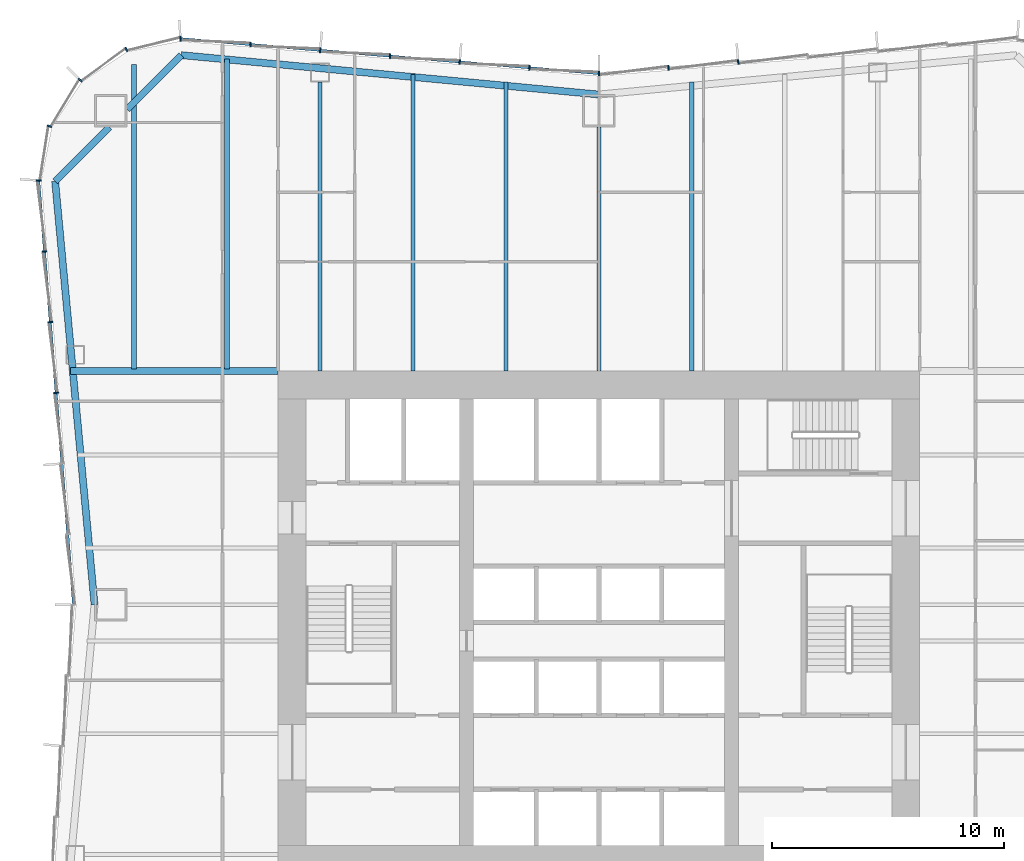
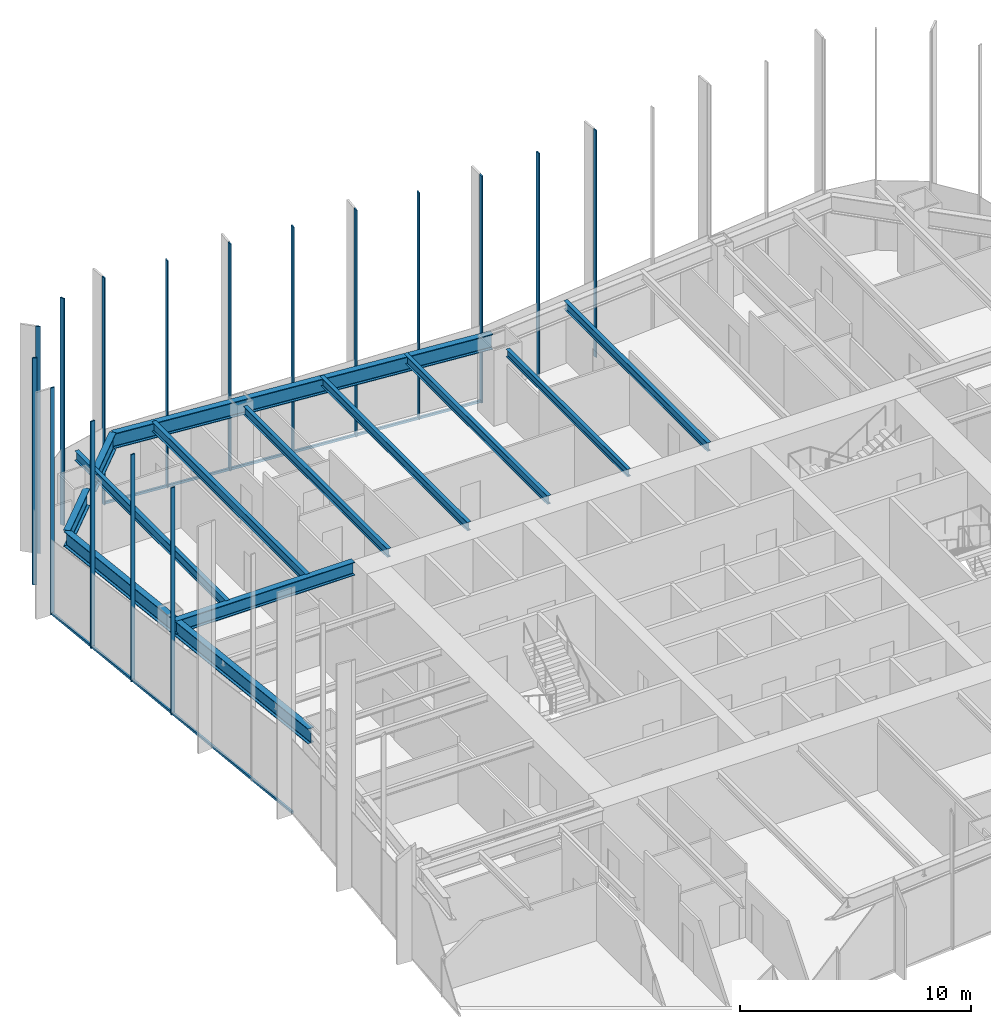
# One storey, part 5 of 13: 18 members, 12 beams, 3 elements without a shape of their own.
"""IFC4 building model written with IfcOpenShell, lengths in metres."""

from ifc_helpers import new_model, si_unit, direction, frame, origin, origin_2d, place, context, subcontext, project, spatial, rectangle, i_section, extrude, material, material_profile, profile_set, type_object, element, aggregate, save


model = new_model("IFC4")

# Units and contexts
model_context = context("Model", 3, precision=1e-05, world=origin(), true_north=direction((0.0, 1.0)))
body_context = subcontext(model_context, "Body", "Model", "MODEL_VIEW")
ifc_project = project(units=[si_unit("LENGTHUNIT", "METRE"), si_unit("AREAUNIT", "SQUARE_METRE"), si_unit("VOLUMEUNIT", "CUBIC_METRE"), si_unit("PLANEANGLEUNIT", "RADIAN"), si_unit("MASSUNIT", "GRAM", prefix="KILO")], contexts=[model_context])

# Site, building, storey
site_placement = place(None, origin())
site = spatial("IfcSite", under=ifc_project, at=site_placement, CompositionType="ELEMENT")
building_placement = place(site_placement, origin())
building = spatial("IfcBuilding", under=site, at=building_placement, Name="Verdant Reach Tower", CompositionType="ELEMENT")
storey_placement = place(building_placement, frame((0.0, 0.0, 82.0)))
storey = spatial("IfcBuildingStorey", under=building, at=storey_placement, Name="L18", CompositionType="ELEMENT", Elevation=82.0)

# Curtain wall, members
ifc_material_1 = material(Name="Anodised aluminium", Category="aluminium")
curtain_wall_type = type_object("IfcCurtainWallType", Name="EN-CW SYSTEM Z1", PredefinedType="NOTDEFINED", material=ifc_material_1)
curtain_wall_1_placement = place(storey_placement, origin())
curtain_wall_1 = element("IfcCurtainWall", 1, at=curtain_wall_1_placement, inside=storey, type_object=curtain_wall_type, Name="Curtain wall north, L18", PredefinedType="NOTDEFINED")
ifc_material_profile_1 = material_profile(ifc_material_1, rectangle(XDim=0.2060546875, YDim=0.06201171875, at=origin_2d()), Name="Mullion 62x206")
ifc_profile_set_1 = profile_set([ifc_material_profile_1], Name="Anodised aluminium")
member_type_1 = type_object("IfcMemberType", Name="EN-MULLION Z1", PredefinedType="MULLION", material=ifc_profile_set_1)
member_1_placement = place(storey_placement, frame((5.991455078125, 52.1025390625, -0.35009765625), z_axis=(0.0, 0.0, 1.0), x_axis=(-0.083045479859, 0.996545758244, 0.0)))
member_1 = element("IfcMember", 2, at=member_1_placement, type_object=member_type_1, Name="Mullion north face part 1 5, L18", PredefinedType="MULLION", context=body_context, shape_type="SweptSolid", body=[
    extrude(rectangle(XDim=0.2060546875, YDim=0.06201171875, at=origin_2d()), origin(), (0.0, 0.0, 1.0), 12.0),
])
member_2_placement = place(storey_placement, frame((2.991455078125, 51.8525390625, -0.35009765625), z_axis=(0.0, 0.0, 1.0), x_axis=(-0.083045479859, 0.996545758244, 0.0)))
member_2 = element("IfcMember", 3, at=member_2_placement, type_object=member_type_1, Name="Mullion north face part 1 6, L18", PredefinedType="MULLION", context=body_context, shape_type="SweptSolid", body=[
    extrude(rectangle(XDim=0.2060546875, YDim=0.06201171875, at=origin_2d()), origin(), (0.0, 0.0, 1.0), 12.0),
])
member_3_placement = place(storey_placement, frame((0.0, 51.60302734375, -0.35009765625), z_axis=(0.0, 0.0, 1.0), x_axis=(0.0, 1.0, 0.0)))
member_3 = element("IfcMember", 4, at=member_3_placement, type_object=member_type_1, Name="Mullion north face part 2 1, L18", PredefinedType="MULLION", context=body_context, shape_type="SweptSolid", body=[
    extrude(rectangle(XDim=0.2060546875, YDim=0.06201171875, at=origin_2d()), origin(), (0.0, 0.0, 1.0), 12.0),
])
member_4_placement = place(storey_placement, frame((-2.991455078125, 51.8525390625, -0.35009765625), z_axis=(0.0, 0.0, 1.0), x_axis=(0.083045479859, 0.996545758244, 0.0)))
member_4 = element("IfcMember", 5, at=member_4_placement, type_object=member_type_1, Name="Mullion north face part 2 2, L18", PredefinedType="MULLION", context=body_context, shape_type="SweptSolid", body=[
    extrude(rectangle(XDim=0.2060546875, YDim=0.06201171875, at=origin_2d()), origin(), (0.0, 0.0, 1.0), 12.0),
])
member_5_placement = place(storey_placement, frame((-5.991455078125, 52.1025390625, -0.35009765625), z_axis=(0.0, 0.0, 1.0), x_axis=(0.083045479859, 0.996545758244, 0.0)))
member_5 = element("IfcMember", 6, at=member_5_placement, type_object=member_type_1, Name="Mullion north face part 2 3, L18", PredefinedType="MULLION", context=body_context, shape_type="SweptSolid", body=[
    extrude(rectangle(XDim=0.2060546875, YDim=0.06201171875, at=origin_2d()), origin(), (0.0, 0.0, 1.0), 12.0),
])
member_6_placement = place(storey_placement, frame((-8.991455078125, 52.3525390625, -0.35009765625), z_axis=(0.0, 0.0, 1.0), x_axis=(0.083045479859, 0.996545758244, 0.0)))
member_6 = element("IfcMember", 7, at=member_6_placement, type_object=member_type_1, Name="Mullion north face part 2 4, L18", PredefinedType="MULLION", context=body_context, shape_type="SweptSolid", body=[
    extrude(rectangle(XDim=0.2060546875, YDim=0.06201171875, at=origin_2d()), origin(), (0.0, 0.0, 1.0), 12.0),
])
member_7_placement = place(storey_placement, frame((-11.991455078125, 52.6025390625, -0.35009765625), z_axis=(0.0, 0.0, 1.0), x_axis=(0.083045479859, 0.996545758244, 0.0)))
member_7 = element("IfcMember", 8, at=member_7_placement, type_object=member_type_1, Name="Mullion north face part 2 5, L18", PredefinedType="MULLION", context=body_context, shape_type="SweptSolid", body=[
    extrude(rectangle(XDim=0.2060546875, YDim=0.06201171875, at=origin_2d()), origin(), (0.0, 0.0, 1.0), 12.0),
])
member_8_placement = place(storey_placement, frame((-14.991455078125, 52.8525390625, -0.35009765625), z_axis=(0.0, 0.0, 1.0), x_axis=(0.083045479859, 0.996545758244, 0.0)))
member_8 = element("IfcMember", 9, at=member_8_placement, type_object=member_type_1, Name="Mullion north face part 2 6, L18", PredefinedType="MULLION", context=body_context, shape_type="SweptSolid", body=[
    extrude(rectangle(XDim=0.2060546875, YDim=0.06201171875, at=origin_2d()), origin(), (0.0, 0.0, 1.0), 12.0),
])

curtain_wall_2_placement = place(storey_placement, origin())
curtain_wall_2 = element("IfcCurtainWall", 10, at=curtain_wall_2_placement, inside=storey, type_object=curtain_wall_type, Name="Curtain wall north-west corner, L18", PredefinedType="NOTDEFINED")
member_9_placement = place(storey_placement, frame((-18.005859375, 53.102783203125, -0.35009765625), z_axis=(0.0, 0.0, 1.0), x_axis=(-0.056569187765, 0.998398681387, 0.0)))
member_9 = element("IfcMember", 11, at=member_9_placement, type_object=member_type_1, Name="Mullion north-west corner 1, L18", PredefinedType="MULLION", context=body_context, shape_type="SweptSolid", body=[
    extrude(rectangle(XDim=0.2060546875, YDim=0.06201171875, at=origin_2d()), origin(), (0.0, 0.0, 1.0), 12.0),
])
member_10_placement = place(storey_placement, frame((-20.33544921875, 52.638427734375, -0.35009765625), z_axis=(0.0, 0.0, 1.0), x_axis=(-0.382693853776, 0.923875215753, 0.0)))
member_10 = element("IfcMember", 12, at=member_10_placement, type_object=member_type_1, Name="Mullion north-west corner 2, L18", PredefinedType="MULLION", context=body_context, shape_type="SweptSolid", body=[
    extrude(rectangle(XDim=0.2060546875, YDim=0.06201171875, at=origin_2d()), origin(), (0.0, 0.0, 1.0), 12.0),
])
member_11_placement = place(storey_placement, frame((-22.3154296875, 51.3154296875, -0.35009765625), z_axis=(0.0, 0.0, 1.0), x_axis=(-0.707106781187, 0.707106781187, 0.0)))
member_11 = element("IfcMember", 13, at=member_11_placement, type_object=member_type_1, Name="Mullion north-west corner 3, L18", PredefinedType="MULLION", context=body_context, shape_type="SweptSolid", body=[
    extrude(rectangle(XDim=0.2060546875, YDim=0.06201171875, at=origin_2d()), origin(), (0.0, 0.0, 1.0), 12.0),
])
member_12_placement = place(storey_placement, frame((-23.638427734375, 49.33544921875, -0.35009765625), z_axis=(0.0, 0.0, 1.0), x_axis=(-0.923875215753, 0.382693853776, 0.0)))
member_12 = element("IfcMember", 14, at=member_12_placement, type_object=member_type_1, Name="Mullion north-west corner 4, L18", PredefinedType="MULLION", context=body_context, shape_type="SweptSolid", body=[
    extrude(rectangle(XDim=0.2060546875, YDim=0.06201171875, at=origin_2d()), origin(), (0.0, 0.0, 1.0), 12.0),
])
aggregate(curtain_wall_2, [member_9, member_10, member_11, member_12])

curtain_wall_3_placement = place(storey_placement, origin())
curtain_wall_3 = element("IfcCurtainWall", 15, at=curtain_wall_3_placement, inside=storey, type_object=curtain_wall_type, Name="Curtain wall west, L18", PredefinedType="NOTDEFINED")
member_13_placement = place(storey_placement, frame((-24.102783203125, 47.005859375, -0.35009765625), z_axis=(0.0, 0.0, 1.0), x_axis=(-0.998366452275, 0.057135164055, 0.0)))
member_13 = element("IfcMember", 16, at=member_13_placement, type_object=member_type_1, Name="Mullion west face part 1 1, L18", PredefinedType="MULLION", context=body_context, shape_type="SweptSolid", body=[
    extrude(rectangle(XDim=0.2060546875, YDim=0.06201171875, at=origin_2d()), origin(), (0.0, 0.0, 1.0), 12.0),
])
member_14_placement = place(storey_placement, frame((-23.8525390625, 43.949951171875, -0.35009765625), z_axis=(0.0, 0.0, 1.0), x_axis=(-0.996639273542, -0.081915556724, 0.0)))
member_14 = element("IfcMember", 17, at=member_14_placement, type_object=member_type_1, Name="Mullion west face part 1 2, L18", PredefinedType="MULLION", context=body_context, shape_type="SweptSolid", body=[
    extrude(rectangle(XDim=0.2060546875, YDim=0.06201171875, at=origin_2d()), origin(), (0.0, 0.0, 1.0), 12.0),
])
member_15_placement = place(storey_placement, frame((-23.6025390625, 40.908203125, -0.35009765625), z_axis=(0.0, 0.0, 1.0), x_axis=(-0.996639273542, -0.081915556724, 0.0)))
member_15 = element("IfcMember", 18, at=member_15_placement, type_object=member_type_1, Name="Mullion west face part 1 3, L18", PredefinedType="MULLION", context=body_context, shape_type="SweptSolid", body=[
    extrude(rectangle(XDim=0.2060546875, YDim=0.06201171875, at=origin_2d()), origin(), (0.0, 0.0, 1.0), 12.0),
])
member_16_placement = place(storey_placement, frame((-23.3525390625, 37.866455078125, -0.35009765625), z_axis=(0.0, 0.0, 1.0), x_axis=(-0.996639273542, -0.081915556724, 0.0)))
member_16 = element("IfcMember", 19, at=member_16_placement, type_object=member_type_1, Name="Mullion west face part 1 4, L18", PredefinedType="MULLION", context=body_context, shape_type="SweptSolid", body=[
    extrude(rectangle(XDim=0.2060546875, YDim=0.06201171875, at=origin_2d()), origin(), (0.0, 0.0, 1.0), 12.0),
])

# Member
ifc_material_profile_2 = material_profile(ifc_material_1, rectangle(XDim=0.10009765625, YDim=0.1220703125, at=origin_2d()), Name="Transom 122x100")
ifc_profile_set_2 = profile_set([ifc_material_profile_2], Name="Anodised aluminium")
member_type_2 = type_object("IfcMemberType", Name="EN-TRANSOM Z1", PredefinedType="USERDEFINED", material=ifc_profile_set_2)
member_17_placement = place(storey_placement, frame((-0.031005859375, 51.60546875, -0.2890625), z_axis=(-0.996547815143, 0.083020793384, 0.0), x_axis=(-0.083020793384, -0.996547815143, 0.0)))
member_17 = element("IfcMember", 20, at=member_17_placement, type_object=member_type_2, Name="Transom north face part 2 1.1, L18", ObjectType="TRANSOM", PredefinedType="USERDEFINED", context=body_context, shape_type="SweptSolid", body=[
    extrude(rectangle(XDim=0.10009765625, YDim=0.1220703125, at=origin_2d()), origin(), (0.0, 0.0, 1.0), 18.006103515625),
])

aggregate(curtain_wall_1, [member_1, member_2, member_3, member_4, member_5, member_6, member_7, member_8, member_17])

member_18_placement = place(storey_placement, frame((-24.100341796875, 46.97509765625, -0.2890625), z_axis=(0.081886623329, -0.996641651207, 0.0), x_axis=(0.996641651207, 0.081886623329, 0.0)))
member_18 = element("IfcMember", 21, at=member_18_placement, type_object=member_type_2, Name="Transom west face part 1 1.1, L18", ObjectType="TRANSOM", PredefinedType="USERDEFINED", context=body_context, shape_type="SweptSolid", body=[
    extrude(rectangle(XDim=0.10009765625, YDim=0.1220703125, at=origin_2d()), origin(), (0.0, 0.0, 1.0), 18.25537109375),
])

aggregate(curtain_wall_3, [member_13, member_14, member_15, member_16, member_18])

# Beams
ifc_material_2 = material(Name="Steel S355", Category="steel")
ifc_material_profile_3 = material_profile(ifc_material_2, i_section(OverallWidth=0.300048828125, OverallDepth=0.699951171875, WebThickness=0.01708984375, FlangeThickness=0.031982421875, FilletRadius=0.027099609375, at=origin_2d()), Name="HEB 700")
ifc_profile_set_3 = profile_set([ifc_material_profile_3], Name="Steel S355")
beam_type_1 = type_object("IfcBeamType", Name="ST-BEAM-HEB700", PredefinedType="BEAM", material=ifc_profile_set_3)
beam_1_placement = place(storey_placement, frame((-13.800048828125, 38.800048828125, 3.52001953125), z_axis=(-1.0, 0.0, 0.0), x_axis=(0.0, -1.0, 0.0)))
element("IfcBeam", 22, at=beam_1_placement, inside=storey, type_object=beam_type_1, Name="Trimmer beam, L18", PredefinedType="BEAM", context=body_context, shape_type="SweptSolid", body=[
    extrude(i_section(OverallWidth=0.300048828125, OverallDepth=0.699951171875, WebThickness=0.01708984375, FlangeThickness=0.031982421875, FilletRadius=0.027099609375, at=origin_2d()), origin(), (0.0, 0.0, 1.0), 8.924072265625),
])
ifc_material_profile_4 = material_profile(ifc_material_2, i_section(OverallWidth=0.179931640625, OverallDepth=0.39990234375, WebThickness=0.008544921875, FlangeThickness=0.013427734375, FilletRadius=0.02099609375, at=origin_2d()), Name="IPE 400")
ifc_profile_set_4 = profile_set([ifc_material_profile_4], Name="Steel S355")
beam_type_2 = type_object("IfcBeamType", Name="ST-JOIST-IPE400", PredefinedType="JOIST", material=ifc_profile_set_4)
beam_2_placement = place(storey_placement, frame((0.0, 38.800048828125, 3.669921875), z_axis=(0.0, 1.0, 0.0), x_axis=(-1.0, 0.0, 0.0)))
element("IfcBeam", 23, at=beam_2_placement, inside=storey, type_object=beam_type_2, Name="Floor joist, L18", PredefinedType="JOIST", context=body_context, shape_type="SweptSolid", body=[
    extrude(i_section(OverallWidth=0.179931640625, OverallDepth=0.39990234375, WebThickness=0.008544921875, FlangeThickness=0.013427734375, FilletRadius=0.02099609375, at=origin_2d()), origin(), (0.0, 0.0, 1.0), 10.5),
])
ifc_material_profile_5 = material_profile(ifc_material_2, i_section(OverallWidth=0.18994140625, OverallDepth=0.449951171875, WebThickness=0.009521484375, FlangeThickness=0.0146484375, FilletRadius=0.02099609375, at=origin_2d()), Name="IPE 450")
ifc_profile_set_5 = profile_set([ifc_material_profile_5], Name="Steel S355")
beam_type_3 = type_object("IfcBeamType", Name="ST-JOIST-IPE450", PredefinedType="JOIST", material=ifc_profile_set_5)
beam_3_placement = place(storey_placement, frame((-12.0, 38.800048828125, 3.64501953125), z_axis=(0.0, 1.0, 0.0), x_axis=(-1.0, 0.0, 0.0)))
element("IfcBeam", 24, at=beam_3_placement, inside=storey, type_object=beam_type_3, Name="Floor joist, L18", PredefinedType="JOIST", context=body_context, shape_type="SweptSolid", body=[
    extrude(i_section(OverallWidth=0.18994140625, OverallDepth=0.449951171875, WebThickness=0.009521484375, FlangeThickness=0.0146484375, FilletRadius=0.02099609375, at=origin_2d()), origin(), (0.0, 0.0, 1.0), 12.449951171875),
])
beam_4_placement = place(storey_placement, frame((-8.0, 38.800048828125, 3.64501953125), z_axis=(0.0, 1.0, 0.0), x_axis=(-1.0, 0.0, 0.0)))
element("IfcBeam", 25, at=beam_4_placement, inside=storey, type_object=beam_type_3, Name="Floor joist, L18", PredefinedType="JOIST", context=body_context, shape_type="SweptSolid", body=[
    extrude(i_section(OverallWidth=0.18994140625, OverallDepth=0.449951171875, WebThickness=0.009521484375, FlangeThickness=0.0146484375, FilletRadius=0.02099609375, at=origin_2d()), origin(), (0.0, 0.0, 1.0), 12.7646484375),
])
for number, where, z_axis, x_axis, name in (
    (26, (-4.0, 38.800048828125, 3.64501953125), (0.0, 1.0, 0.0), (-1.0, 0.0, 0.0), "Floor joist, L18"),
    (27, (4.0, 38.800048828125, 3.64501953125), (0.0, 1.0, 0.0), (-1.0, 0.0, 0.0), "Floor joist, L18"),
):
    element("IfcBeam", number, at=place(storey_placement, frame(where, z_axis=z_axis, x_axis=x_axis)), inside=storey, type_object=beam_type_3, Name=name, PredefinedType="JOIST", context=body_context, shape_type="SweptSolid", body=[
        extrude(i_section(OverallWidth=0.18994140625, OverallDepth=0.449951171875, WebThickness=0.009521484375, FlangeThickness=0.0146484375, FilletRadius=0.02099609375, at=origin_2d()), origin(), (0.0, 0.0, 1.0), 12.43115234375),
    ])
ifc_material_profile_6 = material_profile(ifc_material_2, i_section(OverallWidth=0.199951171875, OverallDepth=0.5, WebThickness=0.01025390625, FlangeThickness=0.01611328125, FilletRadius=0.02099609375, at=origin_2d()), Name="IPE 500")
ifc_profile_set_6 = profile_set([ifc_material_profile_6], Name="Steel S355")
beam_type_4 = type_object("IfcBeamType", Name="ST-JOIST-IPE500", PredefinedType="JOIST", material=ifc_profile_set_6)
beam_5_placement = place(storey_placement, frame((-20.0, 38.89990234375, 3.6201171875), z_axis=(0.0, 1.0, 0.0), x_axis=(-1.0, 0.0, 0.0)))
element("IfcBeam", 28, at=beam_5_placement, inside=storey, type_object=beam_type_4, Name="Floor joist, L18", PredefinedType="JOIST", context=body_context, shape_type="SweptSolid", body=[
    extrude(i_section(OverallWidth=0.199951171875, OverallDepth=0.5, WebThickness=0.01025390625, FlangeThickness=0.01611328125, FilletRadius=0.02099609375, at=origin_2d()), origin(), (0.0, 0.0, 1.0), 13.090576171875),
])
beam_6_placement = place(storey_placement, frame((-16.0, 38.89990234375, 3.6201171875), z_axis=(0.0, 1.0, 0.0), x_axis=(-1.0, 0.0, 0.0)))
element("IfcBeam", 29, at=beam_6_placement, inside=storey, type_object=beam_type_4, Name="Floor joist, L18", PredefinedType="JOIST", context=body_context, shape_type="SweptSolid", body=[
    extrude(i_section(OverallWidth=0.199951171875, OverallDepth=0.5, WebThickness=0.01025390625, FlangeThickness=0.01611328125, FilletRadius=0.02099609375, at=origin_2d()), origin(), (0.0, 0.0, 1.0), 13.331298828125),
])
ifc_material_profile_7 = material_profile(ifc_material_2, i_section(OverallWidth=0.300048828125, OverallDepth=0.800048828125, WebThickness=0.017578125, FlangeThickness=0.032958984375, FilletRadius=0.030029296875, at=origin_2d()), Name="HEB 800")
ifc_profile_set_7 = profile_set([ifc_material_profile_7], Name="Steel S355")
beam_type_5 = type_object("IfcBeamType", Name="ST-SPANDREL-HEB800", PredefinedType="SPANDREL", material=ifc_profile_set_7)
beam_7_placement = place(storey_placement, frame((-21.699951171875, 28.75, 3.469970703125), z_axis=(-0.092656907618, 0.995698095544, 0.0), x_axis=(-0.995698095544, -0.092656907618, 0.0)))
element("IfcBeam", 30, at=beam_7_placement, inside=storey, type_object=beam_type_5, Name="Edge beam, L18", PredefinedType="SPANDREL", context=body_context, shape_type="SweptSolid", body=[
    extrude(i_section(OverallWidth=0.300048828125, OverallDepth=0.800048828125, WebThickness=0.017578125, FlangeThickness=0.032958984375, FilletRadius=0.030029296875, at=origin_2d()), origin(), (0.0, 0.0, 1.0), 18.2939453125),
])
beam_8_placement = place(storey_placement, frame((-17.9658203125, 52.39501953125, 3.469970703125), z_axis=(0.995578571765, -0.093932462137, 0.0), x_axis=(0.093932462137, 0.995578571765, 0.0)))
element("IfcBeam", 31, at=beam_8_placement, inside=storey, type_object=beam_type_5, Name="Edge beam, L18", PredefinedType="SPANDREL", context=body_context, shape_type="SweptSolid", body=[
    extrude(i_section(OverallWidth=0.300048828125, OverallDepth=0.800048828125, WebThickness=0.017578125, FlangeThickness=0.032958984375, FilletRadius=0.030029296875, at=origin_2d()), origin(), (0.0, 0.0, 1.0), 18.045654296875),
])
ifc_material_profile_8 = material_profile(ifc_material_2, i_section(OverallWidth=0.302001953125, OverallDepth=0.909912109375, WebThickness=0.02099609375, FlangeThickness=0.0400390625, FilletRadius=0.030029296875, at=origin_2d()), Name="HEM 900")
ifc_profile_set_8 = profile_set([ifc_material_profile_8], Name="Steel S355")
beam_type_6 = type_object("IfcBeamType", Name="ST-SPANDREL-HEM900", PredefinedType="SPANDREL", material=ifc_profile_set_8)
beam_9_placement = place(storey_placement, frame((-23.39501953125, 46.96533203125, 3.4150390625), z_axis=(0.707069807316, 0.707143753123, 0.0), x_axis=(-0.707143753123, 0.707069807316, 0.0)))
element("IfcBeam", 32, at=beam_9_placement, inside=storey, type_object=beam_type_6, Name="Edge beam, L18", PredefinedType="SPANDREL", context=body_context, shape_type="SweptSolid", body=[
    extrude(i_section(OverallWidth=0.302001953125, OverallDepth=0.909912109375, WebThickness=0.02099609375, FlangeThickness=0.0400390625, FilletRadius=0.030029296875, at=origin_2d()), origin(), (0.0, 0.0, 1.0), 3.301513671875),
])
beam_10_placement = place(storey_placement, frame((-20.300048828125, 50.060791015625, 3.4150390625), z_axis=(0.707106781187, 0.707106781187, 0.0), x_axis=(-0.707106781187, 0.707106781187, 0.0)))
element("IfcBeam", 33, at=beam_10_placement, inside=storey, type_object=beam_type_6, Name="Edge beam, L18", PredefinedType="SPANDREL", context=body_context, shape_type="SweptSolid", body=[
    extrude(i_section(OverallWidth=0.302001953125, OverallDepth=0.909912109375, WebThickness=0.02099609375, FlangeThickness=0.0400390625, FilletRadius=0.030029296875, at=origin_2d()), origin(), (0.0, 0.0, 1.0), 3.301025390625),
])

save(model, "model.ifc")
